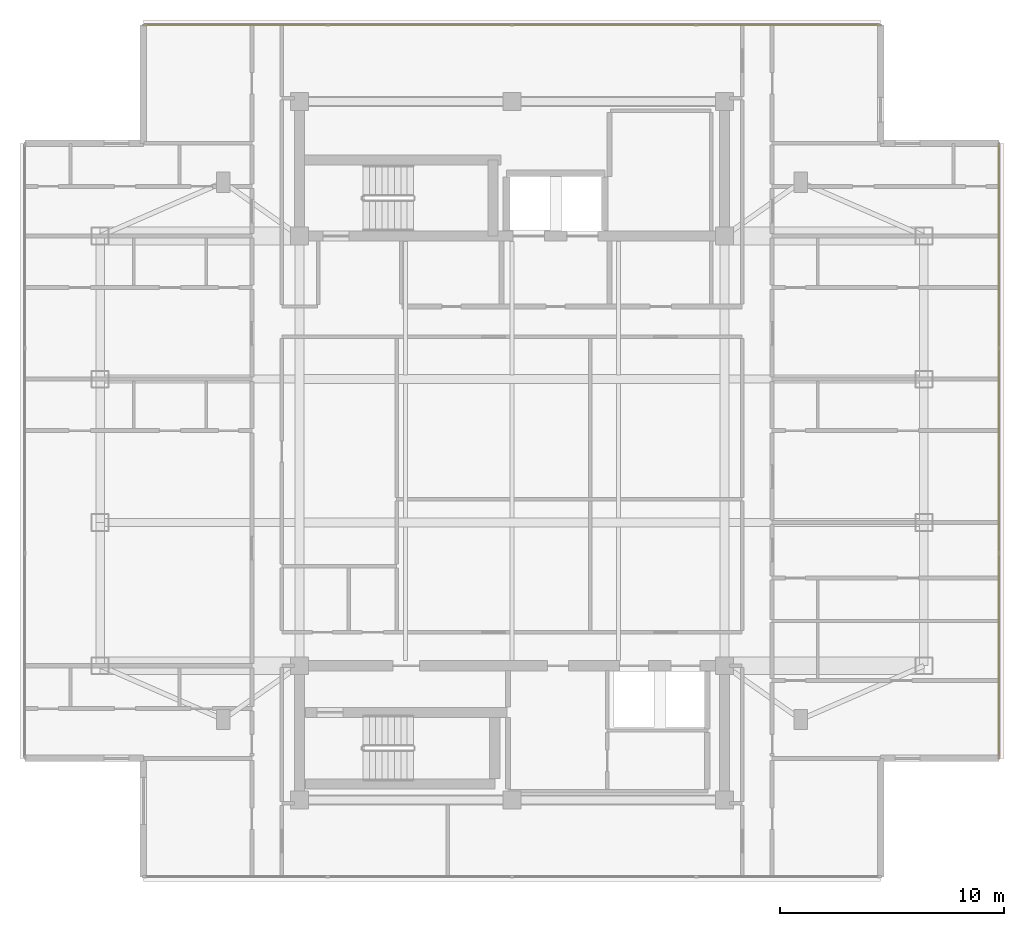
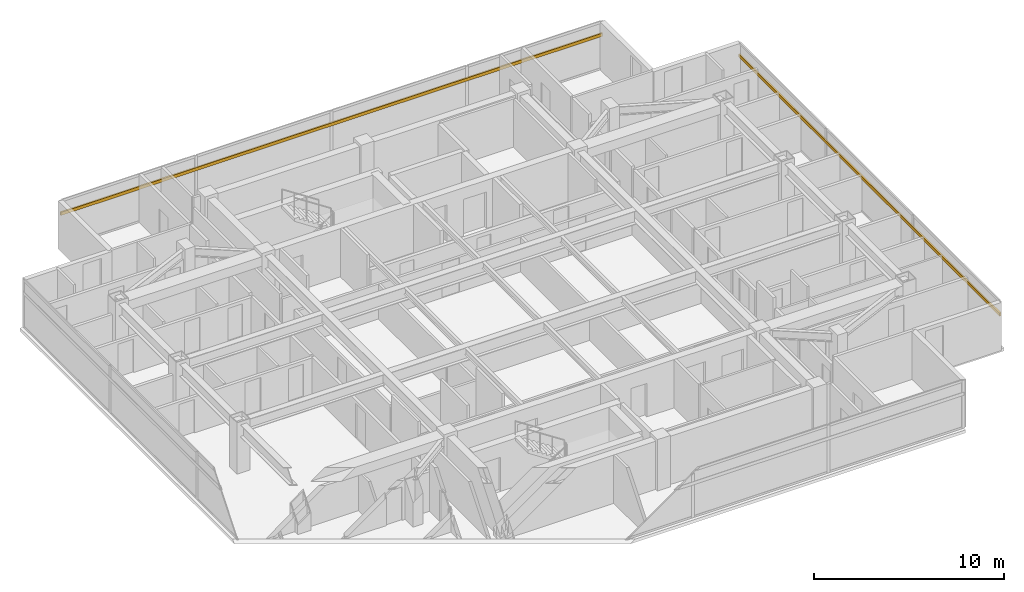
# One storey, part 14 of 14: 2 shading devices.
"""IFC4 building model written with IfcOpenShell, lengths in metres."""

import ifcopenshell
import ifcopenshell.guid

model = None  # the IFC model being written
_history = None  # IfcOwnerHistory: only IFC2X3 demands one
_inside = {}  # id of a spatial element -> (the spatial element, [elements in it])
_under = {}  # id of a project, library or spatial element -> (it, [spatial elements below it])
_declared = {}  # id of a project -> (the project, [libraries it declares])
_typed = {}  # id of a type object -> (the type object, [elements of that type])
_made_of = {}  # id of a material, layer set ... -> (it, [elements and type objects made of it])


def new_model(schema):
    """Start an empty IFC model of exactly this schema.

    Asked for "IFC4X3", IfcOpenShell would pick the latest addendum, in which some entities
    have other attributes; the version numbers below select the first issue.
    IFC2X3 requires an IfcOwnerHistory on every rooted entity: one is made here for all.
    """
    global model, _history
    if schema == "IFC4X3":
        model = ifcopenshell.file(schema_version=(4, 3, 0, 0))
    else:
        model = ifcopenshell.file(schema=schema)
    _inside.clear()
    _under.clear()
    _declared.clear()
    _typed.clear()
    _made_of.clear()
    _history = None
    if model.schema == "IFC2X3":
        org = make("IfcOrganization", Name="unknown")
        user = make(
            "IfcPersonAndOrganization",
            ThePerson=make("IfcPerson", FamilyName="unknown"),
            TheOrganization=org,
        )
        app = make(
            "IfcApplication",
            ApplicationDeveloper=org,
            Version="unknown",
            ApplicationFullName="unknown",
            ApplicationIdentifier="unknown",
        )
        _history = make(
            "IfcOwnerHistory",
            OwningUser=user,
            OwningApplication=app,
            ChangeAction="ADDED",
            CreationDate=0,
        )
    return model


def make(cls, **values):
    """One entity of the class cls with the attributes given. An attribute that is None is left unset."""
    return model.create_entity(
        cls, **{name: value for name, value in values.items() if value is not None}
    )


def rooted(cls, **values):
    """An entity with a GlobalId (a new one), such as an element, a storey or a relation."""
    return make(cls, GlobalId=ifcopenshell.guid.new(), OwnerHistory=_history, **values)


def si_unit(unit_type, name, prefix=None):
    """IfcSIUnit, for example si_unit("LENGTHUNIT", "METRE", prefix="MILLI")."""
    return make("IfcSIUnit", UnitType=unit_type, Prefix=prefix, Name=name)


def assignment(units):
    """IfcUnitAssignment: the units of a project."""
    return None if units is None else make("IfcUnitAssignment", Units=units)


def point(xyz):
    """IfcCartesianPoint."""
    return None if xyz is None else make("IfcCartesianPoint", Coordinates=xyz)


def direction(xyz):
    """IfcDirection."""
    return None if xyz is None else make("IfcDirection", DirectionRatios=xyz)


def frame(location, z_axis=None, x_axis=None):
    """IfcAxis2Placement3D, a coordinate frame: its origin and axes. An axis left out is left unset."""
    return make(
        "IfcAxis2Placement3D",
        Location=point(location),
        Axis=direction(z_axis),
        RefDirection=direction(x_axis),
    )


def frame_2d(location, x_axis=None):
    """IfcAxis2Placement2D, a coordinate frame in the plane: its origin and x axis."""
    return make(
        "IfcAxis2Placement2D", Location=point(location), RefDirection=direction(x_axis)
    )


def origin():
    """The frame at (0, 0, 0) with its axes left unset."""
    return frame((0.0, 0.0, 0.0))


def origin_2d():
    """The frame at (0, 0) in the plane with its x axis left unset."""
    return frame_2d((0.0, 0.0))


def place(relative_to, where):
    """IfcLocalPlacement: puts the frame where relative to a parent placement (None: the world)."""
    return make(
        "IfcLocalPlacement", PlacementRelTo=relative_to, RelativePlacement=where
    )


def context(
    kind, dimensions, precision=None, world=None, true_north=None, identifier=None
):
    """IfcGeometricRepresentationContext, for example the 3D "Model" context."""
    return make(
        "IfcGeometricRepresentationContext",
        ContextIdentifier=identifier,
        ContextType=kind,
        CoordinateSpaceDimension=dimensions,
        Precision=precision,
        WorldCoordinateSystem=world,
        TrueNorth=true_north,
    )


def subcontext(parent, identifier, kind, view, scale=None):
    """IfcGeometricRepresentationSubContext, for example "Body" below "Model"."""
    return make(
        "IfcGeometricRepresentationSubContext",
        ContextIdentifier=identifier,
        ContextType=kind,
        ParentContext=parent,
        TargetScale=scale,
        TargetView=view,
    )


def project(units=None, contexts=None):
    """IfcProject with its units and contexts."""
    return rooted(
        "IfcProject",
        Name="project",
        RepresentationContexts=contexts,
        UnitsInContext=assignment(units),
    )


def spatial(cls, under=None, at=None, **own):
    """A site, building, storey or space (cls), placed at a placement, below another one or the project."""
    s = rooted(cls, ObjectPlacement=at, **own)
    if under is not None:
        _under.setdefault(under.id(), (under, []))[1].append(s)
    return s


def profile(cls, at=None, kind="AREA", **sizes):
    """A parametric profile (cls). Its sizes go by their IFC names, for example OverallWidth=200.0."""
    return make(cls, ProfileType=kind, Position=at, **sizes)


def rectangle(**sizes):
    """IfcRectangleProfileDef."""
    return profile("IfcRectangleProfileDef", **sizes)


def extrude(swept, where, along, depth):
    """IfcExtrudedAreaSolid: the profile swept, set in the frame where, extruded along a direction by depth."""
    return make(
        "IfcExtrudedAreaSolid",
        SweptArea=swept,
        Position=where,
        ExtrudedDirection=direction(along),
        Depth=depth,
    )


def shape(context_of_items, identifier, shape_type, items):
    """IfcShapeRepresentation: the items that make up one representation, for example the "Body"."""
    return make(
        "IfcShapeRepresentation",
        ContextOfItems=context_of_items,
        RepresentationIdentifier=identifier,
        RepresentationType=shape_type,
        Items=items,
    )


def material(Name=None, Category=None):
    """IfcMaterial."""
    return make("IfcMaterial", Name=Name, Category=Category)


def material_profile(
    of_material, cross_section, Name=None, Category=None, Priority=None
):
    """IfcMaterialProfile: a cross section and its material."""
    return make(
        "IfcMaterialProfile",
        Name=Name,
        Material=of_material,
        Profile=cross_section,
        Priority=Priority,
        Category=Category,
    )


def profile_set(profiles, Name=None, composite=None):
    """IfcMaterialProfileSet."""
    return make(
        "IfcMaterialProfileSet",
        Name=Name,
        MaterialProfiles=profiles,
        CompositeProfile=composite,
    )


def made_of(thing, what):
    """Note that an element or type object is made of a material, layer set ...; save() writes the relation."""
    if what is not None:
        _made_of.setdefault(what.id(), (what, []))[1].append(thing)
    return thing


def type_object(cls, material=None, **own):
    """A type object (cls), such as IfcWallType, which elements share."""
    return made_of(rooted(cls, **own), material)


def element(
    cls,
    number,
    at=None,
    inside=None,
    cuts=None,
    type_object=None,
    material=None,
    context=None,
    identifier="Body",
    shape_type=None,
    held_by="IfcProductDefinitionShape",
    body=None,
    shapes=None,
    **own,
):
    """One element of the class cls, such as IfcWall. Its Tag is "e" and its number.

    at: its placement. inside: the storey or other place that contains it. cuts: it is an
    opening in that element (IfcRelVoidsElement). A single representation is given by context,
    identifier, shape_type and body (its items); several are given by shapes. held_by: the class
    of the entity that holds the representations. save() writes the other relations.
    """
    e = rooted(cls, Tag="e%d" % number, ObjectPlacement=at, **own)
    if body is not None:
        shapes = [shape(context, identifier, shape_type, body)]
    if shapes is not None:
        e.Representation = make(held_by, Representations=shapes)
    if inside is not None:
        _inside.setdefault(inside.id(), (inside, []))[1].append(e)
    if cuts is not None:
        rooted(
            "IfcRelVoidsElement", RelatingBuildingElement=cuts, RelatedOpeningElement=e
        )
    if type_object is not None:
        _typed.setdefault(type_object.id(), (type_object, []))[1].append(e)
    return made_of(e, material)


def aggregate(whole, parts):
    """IfcRelAggregates: a whole, such as a stair, and the parts it consists of."""
    return rooted("IfcRelAggregates", RelatingObject=whole, RelatedObjects=parts)


def save(model, path):
    """Write the relations noted so far, then the file.

    IfcRelAggregates (storeys below a building ...), IfcRelContainedInSpatialStructure (elements
    in a storey), IfcRelDefinesByType, IfcRelAssociatesMaterial and IfcRelDeclares: one each for
    every whole, place, type object, material and project.
    """
    for whole, parts in _under.values():
        aggregate(whole, parts)
    for where, things in _inside.values():
        rooted(
            "IfcRelContainedInSpatialStructure",
            RelatedElements=things,
            RelatingStructure=where,
        )
    for kind, things in _typed.values():
        rooted("IfcRelDefinesByType", RelatedObjects=things, RelatingType=kind)
    for what, things in _made_of.values():
        rooted("IfcRelAssociatesMaterial", RelatedObjects=things, RelatingMaterial=what)
    for by, libraries in _declared.values():
        rooted("IfcRelDeclares", RelatingContext=by, RelatedDefinitions=libraries)
    model.write(path)


model = new_model("IFC4")

# Units and contexts
model_context = context("Model", 3, precision=1e-05, world=origin(), true_north=direction((0.0, 1.0)))
body_context = subcontext(model_context, "Body", "Model", "MODEL_VIEW")
ifc_project = project(units=[si_unit("LENGTHUNIT", "METRE"), si_unit("AREAUNIT", "SQUARE_METRE"), si_unit("VOLUMEUNIT", "CUBIC_METRE"), si_unit("PLANEANGLEUNIT", "RADIAN"), si_unit("MASSUNIT", "GRAM", prefix="KILO")], contexts=[model_context])

# Site, building, storey
site_placement = place(None, origin())
site = spatial("IfcSite", under=ifc_project, at=site_placement, CompositionType="ELEMENT")
building_placement = place(site_placement, origin())
building = spatial("IfcBuilding", under=site, at=building_placement, Name="Mirazonda Arch Towers", CompositionType="ELEMENT")
storey_placement = place(building_placement, frame((0.0, 0.0, 239.199951171875)))
storey = spatial("IfcBuildingStorey", under=building, at=storey_placement, Name="L68", CompositionType="ELEMENT", Elevation=239.199951171875)

# Shading devices
ifc_material = material(Name="Kiln-Fired Architectural Terracotta", Category="masonry")
ifc_material_profile = material_profile(ifc_material, rectangle(XDim=0.10009765625, YDim=0.199951171875, at=origin_2d()), Name="TERRA-BAG-100x200")
ifc_profile_set = profile_set([ifc_material_profile], Name="Kiln-Fired Architectural Terracotta")
shading_device_type = type_object("IfcShadingDeviceType", Name="BAGUETTE-2", PredefinedType="USERDEFINED", material=ifc_profile_set)
shading_device_1_placement = place(storey_placement, frame((42.260009765625, 14.261962890625, 2.217529296875), z_axis=(0.0, 1.0, 0.0), x_axis=(-1.0, 0.0, 0.0)))
element("IfcShadingDevice", 1, at=shading_device_1_placement, inside=storey, type_object=shading_device_type, Name="L68 Glazed Terracotta Sun-Screen Baguette CW-L68-T1-E", ObjectType="BAGUETTE", PredefinedType="USERDEFINED", context=body_context, shape_type="SweptSolid", body=[
    extrude(rectangle(XDim=0.10009765625, YDim=0.199951171875, at=origin_2d()), origin(), (0.0, 0.0, 1.0), 27.47607421875),
])
shading_device_2_placement = place(storey_placement, frame((4.030029296875, 47.028076171875, 2.217529296875), z_axis=(1.0, 0.0, 0.0), x_axis=(0.0, 1.0, 0.0)))
element("IfcShadingDevice", 2, at=shading_device_2_placement, inside=storey, type_object=shading_device_type, Name="L68 Glazed Terracotta Sun-Screen Baguette CW-L68-T1-N", ObjectType="BAGUETTE", PredefinedType="USERDEFINED", context=body_context, shape_type="SweptSolid", body=[
    extrude(rectangle(XDim=0.10009765625, YDim=0.199951171875, at=origin_2d()), origin(), (0.0, 0.0, 1.0), 32.93994140625),
])

save(model, "model.ifc")
